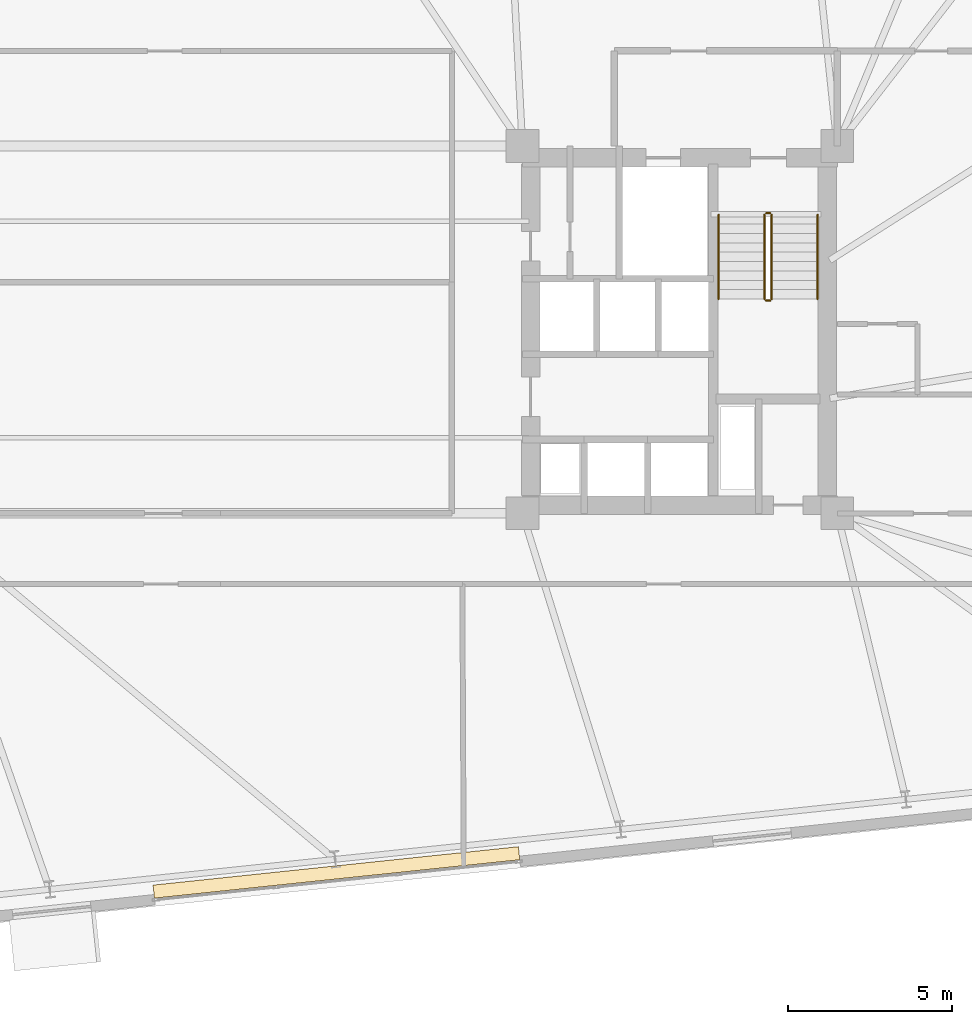
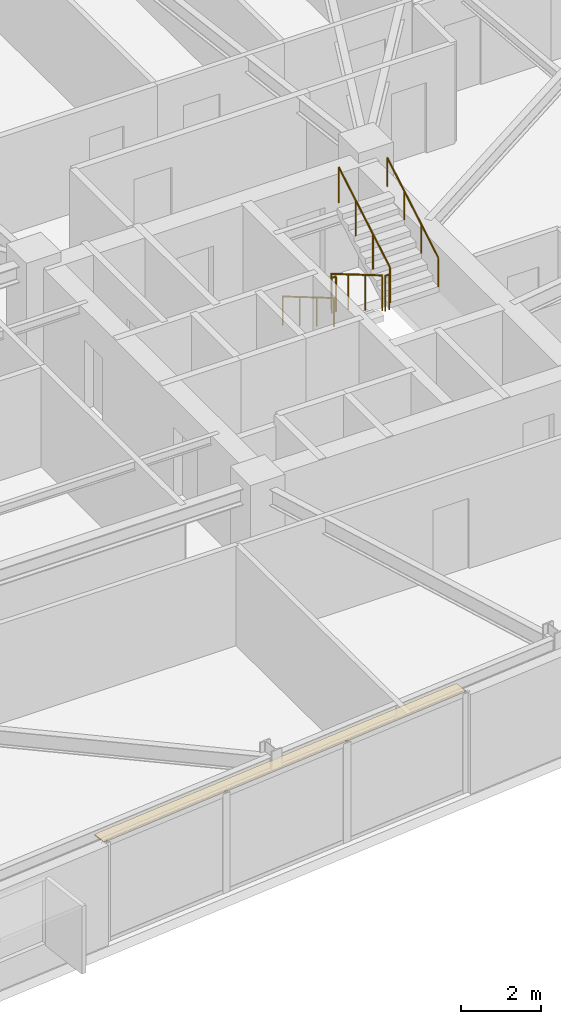
# One storey, part 22 of 22: 6 railings, 1 covering.
"""IFC4 building model written with IfcOpenShell, lengths in metres."""

import ifcopenshell
import ifcopenshell.guid

model = None  # the IFC model being written
_history = None  # IfcOwnerHistory: only IFC2X3 demands one
_inside = {}  # id of a spatial element -> (the spatial element, [elements in it])
_under = {}  # id of a project, library or spatial element -> (it, [spatial elements below it])
_declared = {}  # id of a project -> (the project, [libraries it declares])
_typed = {}  # id of a type object -> (the type object, [elements of that type])
_made_of = {}  # id of a material, layer set ... -> (it, [elements and type objects made of it])


def new_model(schema):
    """Start an empty IFC model of exactly this schema.

    Asked for "IFC4X3", IfcOpenShell would pick the latest addendum, in which some entities
    have other attributes; the version numbers below select the first issue.
    IFC2X3 requires an IfcOwnerHistory on every rooted entity: one is made here for all.
    """
    global model, _history
    if schema == "IFC4X3":
        model = ifcopenshell.file(schema_version=(4, 3, 0, 0))
    else:
        model = ifcopenshell.file(schema=schema)
    _inside.clear()
    _under.clear()
    _declared.clear()
    _typed.clear()
    _made_of.clear()
    _history = None
    if model.schema == "IFC2X3":
        org = make("IfcOrganization", Name="unknown")
        user = make(
            "IfcPersonAndOrganization",
            ThePerson=make("IfcPerson", FamilyName="unknown"),
            TheOrganization=org,
        )
        app = make(
            "IfcApplication",
            ApplicationDeveloper=org,
            Version="unknown",
            ApplicationFullName="unknown",
            ApplicationIdentifier="unknown",
        )
        _history = make(
            "IfcOwnerHistory",
            OwningUser=user,
            OwningApplication=app,
            ChangeAction="ADDED",
            CreationDate=0,
        )
    return model


def make(cls, **values):
    """One entity of the class cls with the attributes given. An attribute that is None is left unset."""
    return model.create_entity(
        cls, **{name: value for name, value in values.items() if value is not None}
    )


def rooted(cls, **values):
    """An entity with a GlobalId (a new one), such as an element, a storey or a relation."""
    return make(cls, GlobalId=ifcopenshell.guid.new(), OwnerHistory=_history, **values)


def si_unit(unit_type, name, prefix=None):
    """IfcSIUnit, for example si_unit("LENGTHUNIT", "METRE", prefix="MILLI")."""
    return make("IfcSIUnit", UnitType=unit_type, Prefix=prefix, Name=name)


def assignment(units):
    """IfcUnitAssignment: the units of a project."""
    return None if units is None else make("IfcUnitAssignment", Units=units)


def point(xyz):
    """IfcCartesianPoint."""
    return None if xyz is None else make("IfcCartesianPoint", Coordinates=xyz)


def direction(xyz):
    """IfcDirection."""
    return None if xyz is None else make("IfcDirection", DirectionRatios=xyz)


def frame(location, z_axis=None, x_axis=None):
    """IfcAxis2Placement3D, a coordinate frame: its origin and axes. An axis left out is left unset."""
    return make(
        "IfcAxis2Placement3D",
        Location=point(location),
        Axis=direction(z_axis),
        RefDirection=direction(x_axis),
    )


def frame_2d(location, x_axis=None):
    """IfcAxis2Placement2D, a coordinate frame in the plane: its origin and x axis."""
    return make(
        "IfcAxis2Placement2D", Location=point(location), RefDirection=direction(x_axis)
    )


def origin():
    """The frame at (0, 0, 0) with its axes left unset."""
    return frame((0.0, 0.0, 0.0))


def origin_2d():
    """The frame at (0, 0) in the plane with its x axis left unset."""
    return frame_2d((0.0, 0.0))


def place(relative_to, where):
    """IfcLocalPlacement: puts the frame where relative to a parent placement (None: the world)."""
    return make(
        "IfcLocalPlacement", PlacementRelTo=relative_to, RelativePlacement=where
    )


def context(
    kind, dimensions, precision=None, world=None, true_north=None, identifier=None
):
    """IfcGeometricRepresentationContext, for example the 3D "Model" context."""
    return make(
        "IfcGeometricRepresentationContext",
        ContextIdentifier=identifier,
        ContextType=kind,
        CoordinateSpaceDimension=dimensions,
        Precision=precision,
        WorldCoordinateSystem=world,
        TrueNorth=true_north,
    )


def subcontext(parent, identifier, kind, view, scale=None):
    """IfcGeometricRepresentationSubContext, for example "Body" below "Model"."""
    return make(
        "IfcGeometricRepresentationSubContext",
        ContextIdentifier=identifier,
        ContextType=kind,
        ParentContext=parent,
        TargetScale=scale,
        TargetView=view,
    )


def project(units=None, contexts=None):
    """IfcProject with its units and contexts."""
    return rooted(
        "IfcProject",
        Name="project",
        RepresentationContexts=contexts,
        UnitsInContext=assignment(units),
    )


def spatial(cls, under=None, at=None, **own):
    """A site, building, storey or space (cls), placed at a placement, below another one or the project."""
    s = rooted(cls, ObjectPlacement=at, **own)
    if under is not None:
        _under.setdefault(under.id(), (under, []))[1].append(s)
    return s


def polyline(points):
    """IfcPolyline through the points."""
    return make("IfcPolyline", Points=[point(p) for p in points])


def profile(cls, at=None, kind="AREA", **sizes):
    """A parametric profile (cls). Its sizes go by their IFC names, for example OverallWidth=200.0."""
    return make(cls, ProfileType=kind, Position=at, **sizes)


def circle(**sizes):
    """IfcCircleProfileDef."""
    return profile("IfcCircleProfileDef", **sizes)


def outline(outer, holes=None, kind="AREA"):
    """IfcArbitraryClosedProfileDef: a profile drawn as a closed curve; with holes, ...WithVoids."""
    if holes is None:
        return make("IfcArbitraryClosedProfileDef", ProfileType=kind, OuterCurve=outer)
    return make(
        "IfcArbitraryProfileDefWithVoids",
        ProfileType=kind,
        OuterCurve=outer,
        InnerCurves=holes,
    )


def extrude(swept, where, along, depth):
    """IfcExtrudedAreaSolid: the profile swept, set in the frame where, extruded along a direction by depth."""
    return make(
        "IfcExtrudedAreaSolid",
        SweptArea=swept,
        Position=where,
        ExtrudedDirection=direction(along),
        Depth=depth,
    )


def shape(context_of_items, identifier, shape_type, items):
    """IfcShapeRepresentation: the items that make up one representation, for example the "Body"."""
    return make(
        "IfcShapeRepresentation",
        ContextOfItems=context_of_items,
        RepresentationIdentifier=identifier,
        RepresentationType=shape_type,
        Items=items,
    )


def material(Name=None, Category=None):
    """IfcMaterial."""
    return make("IfcMaterial", Name=Name, Category=Category)


def layer(
    of_material, thickness, ventilated=None, Name=None, Category=None, Priority=None
):
    """IfcMaterialLayer: one layer of a wall or slab, of a material (None: an air gap)."""
    return make(
        "IfcMaterialLayer",
        Material=of_material,
        LayerThickness=thickness,
        IsVentilated=ventilated,
        Name=Name,
        Category=Category,
        Priority=Priority,
    )


def layer_set(layers, Name=None):
    """IfcMaterialLayerSet."""
    return make("IfcMaterialLayerSet", MaterialLayers=layers, LayerSetName=Name)


def made_of(thing, what):
    """Note that an element or type object is made of a material, layer set ...; save() writes the relation."""
    if what is not None:
        _made_of.setdefault(what.id(), (what, []))[1].append(thing)
    return thing


def type_object(cls, material=None, **own):
    """A type object (cls), such as IfcWallType, which elements share."""
    return made_of(rooted(cls, **own), material)


def element(
    cls,
    number,
    at=None,
    inside=None,
    cuts=None,
    type_object=None,
    material=None,
    context=None,
    identifier="Body",
    shape_type=None,
    held_by="IfcProductDefinitionShape",
    body=None,
    shapes=None,
    **own,
):
    """One element of the class cls, such as IfcWall. Its Tag is "e" and its number.

    at: its placement. inside: the storey or other place that contains it. cuts: it is an
    opening in that element (IfcRelVoidsElement). A single representation is given by context,
    identifier, shape_type and body (its items); several are given by shapes. held_by: the class
    of the entity that holds the representations. save() writes the other relations.
    """
    e = rooted(cls, Tag="e%d" % number, ObjectPlacement=at, **own)
    if body is not None:
        shapes = [shape(context, identifier, shape_type, body)]
    if shapes is not None:
        e.Representation = make(held_by, Representations=shapes)
    if inside is not None:
        _inside.setdefault(inside.id(), (inside, []))[1].append(e)
    if cuts is not None:
        rooted(
            "IfcRelVoidsElement", RelatingBuildingElement=cuts, RelatedOpeningElement=e
        )
    if type_object is not None:
        _typed.setdefault(type_object.id(), (type_object, []))[1].append(e)
    return made_of(e, material)


def aggregate(whole, parts):
    """IfcRelAggregates: a whole, such as a stair, and the parts it consists of."""
    return rooted("IfcRelAggregates", RelatingObject=whole, RelatedObjects=parts)


def save(model, path):
    """Write the relations noted so far, then the file.

    IfcRelAggregates (storeys below a building ...), IfcRelContainedInSpatialStructure (elements
    in a storey), IfcRelDefinesByType, IfcRelAssociatesMaterial and IfcRelDeclares: one each for
    every whole, place, type object, material and project.
    """
    for whole, parts in _under.values():
        aggregate(whole, parts)
    for where, things in _inside.values():
        rooted(
            "IfcRelContainedInSpatialStructure",
            RelatedElements=things,
            RelatingStructure=where,
        )
    for kind, things in _typed.values():
        rooted("IfcRelDefinesByType", RelatedObjects=things, RelatingType=kind)
    for what, things in _made_of.values():
        rooted("IfcRelAssociatesMaterial", RelatedObjects=things, RelatingMaterial=what)
    for by, libraries in _declared.values():
        rooted("IfcRelDeclares", RelatingContext=by, RelatedDefinitions=libraries)
    model.write(path)


model = new_model("IFC4")

# Units and contexts
model_context = context("Model", 3, precision=1e-05, world=origin(), true_north=direction((0.0, 1.0)))
body_context = subcontext(model_context, "Body", "Model", "MODEL_VIEW")
ifc_project = project(units=[si_unit("LENGTHUNIT", "METRE"), si_unit("AREAUNIT", "SQUARE_METRE"), si_unit("VOLUMEUNIT", "CUBIC_METRE"), si_unit("PLANEANGLEUNIT", "RADIAN"), si_unit("MASSUNIT", "GRAM", prefix="KILO")], contexts=[model_context])

# Site, building, storey
site_placement = place(None, origin())
site = spatial("IfcSite", under=ifc_project, at=site_placement, CompositionType="ELEMENT")
building_placement = place(site_placement, origin())
building = spatial("IfcBuilding", under=site, at=building_placement, Name="Qobustan Lattice House", CompositionType="ELEMENT")
storey_placement = place(building_placement, frame((0.0, 0.0, 99.10009765625)))
storey = spatial("IfcBuildingStorey", under=building, at=storey_placement, Name="L27", CompositionType="ELEMENT", Elevation=99.10009765625)

# Covering
ifc_material_1 = material(Name="Persian walnut timber lining", Category="wood")
ifc_layer = layer(ifc_material_1, 0.0380859375)
ifc_layer_set = layer_set([ifc_layer], Name="Persian walnut timber lining")
covering_type = type_object("IfcCoveringType", Name="COV-WALNUT-IWAN", PredefinedType="CLADDING", material=ifc_layer_set)
covering_placement = place(storey_placement, frame((0.0, 0.0, 3.0068359375)))
element("IfcCovering", 1, at=covering_placement, inside=storey, type_object=covering_type, Name="L27 IWAN-2 Persian walnut soffit cladding", PredefinedType="CLADDING", context=body_context, shape_type="SweptSolid", body=[
    extrude(outline(polyline([(9.118896484375, -16.16259765625), (-2.02001953125, -17.333251953125), (-2.061767578125, -16.935302734375), (9.076904296875, -15.7646484375), (9.118896484375, -16.16259765625)])), origin(), (0.0, 0.0, 1.0), 0.0380859375),
])

# Railings
ifc_material_2 = material(Name="Brushed stainless steel handrail", Category="steel")
railing_type_1 = type_object("IfcRailingType", Name="RAL-HR-920", PredefinedType="HANDRAIL", material=ifc_material_2)
railing_1_placement = place(storey_placement, frame((15.179931640625, 3.5, 0.16748046875)))
element("IfcRailing", 2, at=railing_1_placement, inside=storey, type_object=railing_type_1, Name="L27 ST-E1 stair handrail 1", PredefinedType="HANDRAIL", context=body_context, shape_type="SweptSolid", body=[
    extrude(circle(Radius=0.02392578125, at=origin_2d()), frame((0.0, 0.0, 0.8759765625), z_axis=(0.0, -0.862149314443, 0.506654280161), x_axis=(1.0, 0.0, 0.0)), (0.0, 0.0, 1.0), 2.97509765625),
    extrude(circle(Radius=0.02099609375, at=origin_2d()), origin(), (0.0, 0.0, 1.0), 0.851806640625),
    extrude(circle(Radius=0.02099609375, at=origin_2d()), frame((0.0, -0.85498046875, 0.50244140625)), (0.0, 0.0, 1.0), 0.851806640625),
    extrude(circle(Radius=0.02099609375, at=origin_2d()), frame((0.0, -1.7099609375, 1.0048828125)), (0.0, 0.0, 1.0), 0.851806640625),
    extrude(circle(Radius=0.02099609375, at=origin_2d()), frame((0.0, -2.56494140625, 1.50732421875)), (0.0, 0.0, 1.0), 0.851806640625),
])
railing_2_placement = place(storey_placement, frame((18.199951171875, 0.93505859375, 1.84228515625)))
element("IfcRailing", 3, at=railing_2_placement, inside=storey, type_object=railing_type_1, Name="L27 ST-E1 stair handrail 2", PredefinedType="HANDRAIL", context=body_context, shape_type="SweptSolid", body=[
    extrude(circle(Radius=0.02392578125, at=origin_2d()), frame((0.0, 0.0, 0.8759765625), z_axis=(0.0, 0.862113467892, 0.50671527358), x_axis=(-1.0, 0.0, 0.0)), (0.0, 0.0, 1.0), 2.97509765625),
    extrude(circle(Radius=0.02099609375, at=origin_2d()), origin(), (0.0, 0.0, 1.0), 0.851806640625),
    extrude(circle(Radius=0.02099609375, at=origin_2d()), frame((0.0, 0.85498046875, 0.50244140625)), (0.0, 0.0, 1.0), 0.851806640625),
    extrude(circle(Radius=0.02099609375, at=origin_2d()), frame((0.0, 1.7099609375, 1.005126953125)), (0.0, 0.0, 1.0), 0.851806640625),
    extrude(circle(Radius=0.02099609375, at=origin_2d()), frame((0.0, 2.56494140625, 1.507568359375)), (0.0, 0.0, 1.0), 0.851806640625),
])
ifc_material_3 = material(Name="Painted galvanized steel guardrail", Category="steel")
railing_type_2 = type_object("IfcRailingType", Name="RAL-STG-1150", PredefinedType="GUARDRAIL", material=ifc_material_3)
railing_3_placement = place(storey_placement, frame((16.580078125, 3.5, 0.16748046875)))
element("IfcRailing", 4, at=railing_3_placement, inside=storey, type_object=railing_type_2, Name="L27 ST-E1 stair guard 1", PredefinedType="GUARDRAIL", context=body_context, shape_type="SweptSolid", body=[
    extrude(circle(Radius=0.02392578125, at=origin_2d()), frame((0.0, 0.0, 1.076171875), z_axis=(0.0, -0.862149314443, 0.506654280161), x_axis=(1.0, 0.0, 0.0)), (0.0, 0.0, 1.0), 2.97509765625),
    extrude(circle(Radius=0.02099609375, at=origin_2d()), origin(), (0.0, 0.0, 1.0), 1.052001953125),
    extrude(circle(Radius=0.02099609375, at=origin_2d()), frame((0.0, -0.85498046875, 0.50244140625)), (0.0, 0.0, 1.0), 1.052001953125),
    extrude(circle(Radius=0.02099609375, at=origin_2d()), frame((0.0, -1.7099609375, 1.0048828125)), (0.0, 0.0, 1.0), 1.052001953125),
    extrude(circle(Radius=0.02099609375, at=origin_2d()), frame((0.0, -2.56494140625, 1.50732421875)), (0.0, 0.0, 1.0), 1.052001953125),
])
railing_4_placement = place(storey_placement, frame((16.6298828125, 0.885009765625, 1.6748046875)))
element("IfcRailing", 5, at=railing_4_placement, inside=storey, type_object=railing_type_2, Name="L27 ST-E1 stair guard 2", PredefinedType="GUARDRAIL", context=body_context, shape_type="SweptSolid", body=[
    extrude(circle(Radius=0.02392578125, at=origin_2d()), frame((0.0, 0.0, 1.076171875), z_axis=(1.0, 0.0, 0.0), x_axis=(0.0, 1.0, 0.0)), (0.0, 0.0, 1.0), 0.1201171875),
    extrude(circle(Radius=0.02099609375, at=origin_2d()), origin(), (0.0, 0.0, 1.0), 1.052001953125),
    extrude(circle(Radius=0.02099609375, at=origin_2d()), frame((0.1201171875, 0.0, 0.0)), (0.0, 0.0, 1.0), 1.052001953125),
])
railing_5_placement = place(storey_placement, frame((16.800048828125, 0.93505859375, 1.84228515625)))
element("IfcRailing", 6, at=railing_5_placement, inside=storey, type_object=railing_type_2, Name="L27 ST-E1 stair guard 3", PredefinedType="GUARDRAIL", context=body_context, shape_type="SweptSolid", body=[
    extrude(circle(Radius=0.02392578125, at=origin_2d()), frame((0.0, 0.0, 1.076171875), z_axis=(0.0, 0.862113467892, 0.50671527358), x_axis=(-1.0, 0.0, 0.0)), (0.0, 0.0, 1.0), 2.97509765625),
    extrude(circle(Radius=0.02099609375, at=origin_2d()), origin(), (0.0, 0.0, 1.0), 1.052001953125),
    extrude(circle(Radius=0.02099609375, at=origin_2d()), frame((0.0, 0.85498046875, 0.50244140625)), (0.0, 0.0, 1.0), 1.052001953125),
    extrude(circle(Radius=0.02099609375, at=origin_2d()), frame((0.0, 1.7099609375, 1.005126953125)), (0.0, 0.0, 1.0), 1.052001953125),
    extrude(circle(Radius=0.02099609375, at=origin_2d()), frame((0.0, 2.56494140625, 1.507568359375)), (0.0, 0.0, 1.0), 1.052001953125),
])
railing_6_placement = place(storey_placement, frame((16.6298828125, 3.550048828125, 0.0)))
element("IfcRailing", 7, at=railing_6_placement, inside=storey, type_object=railing_type_2, Name="L27 ST-E1 stair guard 4", PredefinedType="GUARDRAIL", context=body_context, shape_type="SweptSolid", body=[
    extrude(circle(Radius=0.02392578125, at=origin_2d()), frame((0.0, 0.0, 1.076171875), z_axis=(1.0, 0.0, 0.0), x_axis=(0.0, 1.0, 0.0)), (0.0, 0.0, 1.0), 0.1201171875),
    extrude(circle(Radius=0.02099609375, at=origin_2d()), origin(), (0.0, 0.0, 1.0), 1.052001953125),
    extrude(circle(Radius=0.02099609375, at=origin_2d()), frame((0.1201171875, 0.0, 0.0)), (0.0, 0.0, 1.0), 1.052001953125),
])

save(model, "model.ifc")
